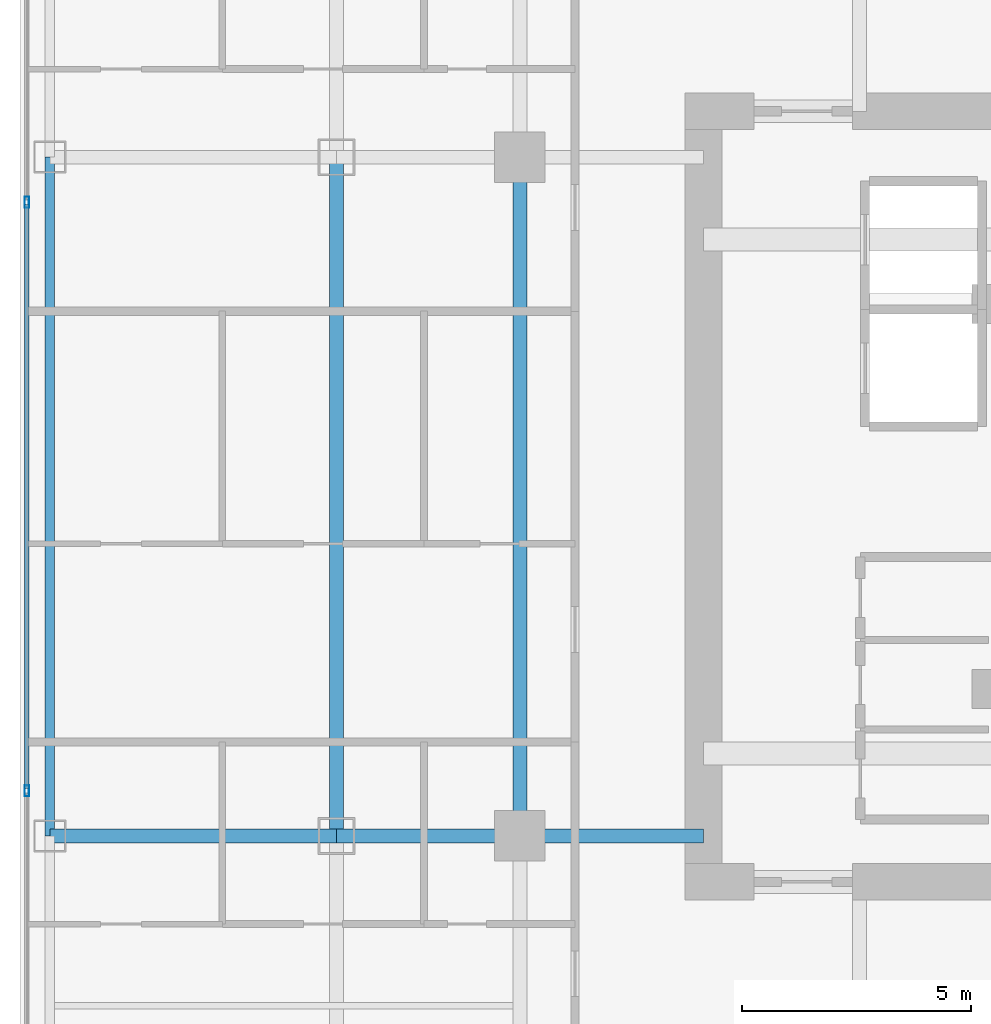
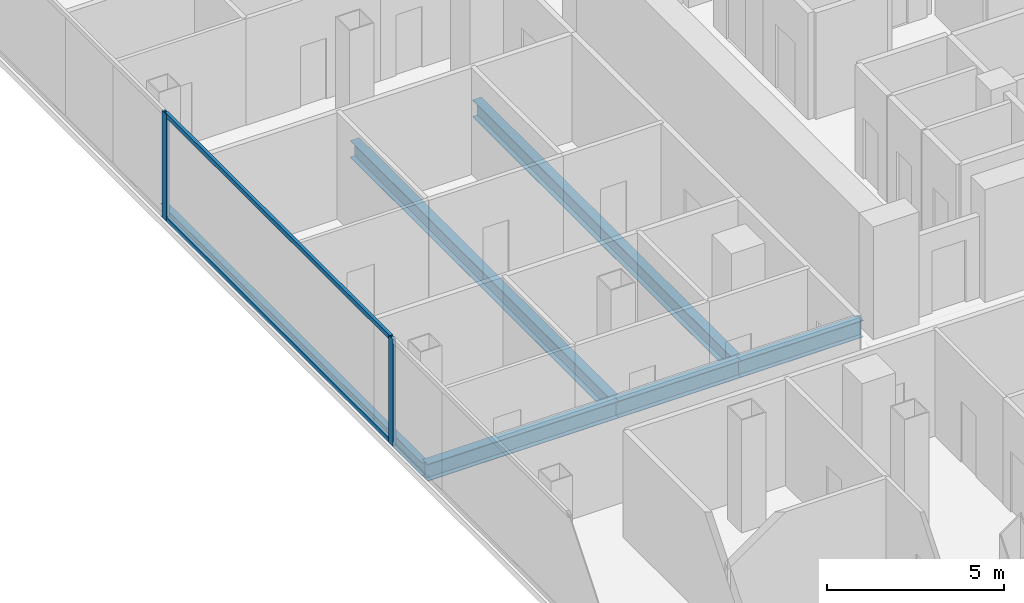
# One storey, part 5 of 27: 6 beams, 4 members, 1 element without a shape of its own.
"""IFC4 building model written with IfcOpenShell, lengths in metres."""

from ifc_helpers import new_model, si_unit, direction, frame, origin, origin_2d, place, context, subcontext, project, spatial, hollow_rectangle, i_section, extrude, material, layer, layer_set, material_profile, profile_set, type_object, element, aggregate, save


model = new_model("IFC4")

# Units and contexts
model_context = context("Model", 3, precision=1e-05, world=origin(), true_north=direction((0.0, 1.0)))
body_context = subcontext(model_context, "Body", "Model", "MODEL_VIEW")
ifc_project = project(units=[si_unit("LENGTHUNIT", "METRE"), si_unit("AREAUNIT", "SQUARE_METRE"), si_unit("VOLUMEUNIT", "CUBIC_METRE"), si_unit("PLANEANGLEUNIT", "RADIAN"), si_unit("MASSUNIT", "GRAM", prefix="KILO")], contexts=[model_context])

# Site, building, storey
site_placement = place(None, origin())
site = spatial("IfcSite", under=ifc_project, at=site_placement, CompositionType="ELEMENT")
building_placement = place(site_placement, origin())
building = spatial("IfcBuilding", under=site, at=building_placement, Name="Khorvyn Point Tower", CompositionType="ELEMENT")
storey_placement = place(building_placement, frame((0.0, 0.0, 179.699951171875)))
storey = spatial("IfcBuildingStorey", under=building, at=storey_placement, Name="L44", CompositionType="ELEMENT", Elevation=179.699951171875)

# Curtain wall, members
ifc_material_1 = material(Name="Anodised aluminium 6063-T6 and laminated Low-E glass", Category="aluminium")
ifc_layer = layer(ifc_material_1, 0.18994140625)
ifc_layer_set = layer_set([ifc_layer], Name="Stick-Built Acoustic Curtain Wall CW-SYS-03")
curtain_wall_type = type_object("IfcCurtainWallType", Name="Stick-Built Acoustic Curtain Wall CW-SYS-03", PredefinedType="NOTDEFINED", material=ifc_layer_set)
curtain_wall_placement = place(storey_placement, origin())
curtain_wall = element("IfcCurtainWall", 1, at=curtain_wall_placement, inside=storey, type_object=curtain_wall_type, Name="Curtain Wall", PredefinedType="NOTDEFINED")
ifc_material_2 = material(Name="Anodised aluminium 6063-T6", Category="aluminium")
ifc_material_profile_1 = material_profile(ifc_material_2, hollow_rectangle(XDim=0.10009765625, YDim=0.239990234375, WallThickness=0.0048828125, at=origin_2d()))
ifc_profile_set_1 = profile_set([ifc_material_profile_1], Name="Anodised aluminium 6063-T6 ALU-MUL-100x240")
member_type_1 = type_object("IfcMemberType", Name="Anodised Aluminium 6063-T6 Mullion ALU-MUL-100x240", PredefinedType="MULLION", material=ifc_profile_set_1)
member_1_placement = place(storey_placement, frame((-25.550048828125, -6.416748046875, 0.0), z_axis=(0.0, 0.0, 1.0), x_axis=(-1.0, 0.0, 0.0)))
member_1 = element("IfcMember", 2, at=member_1_placement, type_object=member_type_1, Name="Transom", PredefinedType="MULLION", context=body_context, shape_type="SweptSolid", body=[
    extrude(hollow_rectangle(XDim=0.10009765625, YDim=0.239990234375, WallThickness=0.0048828125, at=origin_2d()), origin(), (0.0, 0.0, 1.0), 3.679931640625),
])
member_2_placement = place(storey_placement, frame((-25.550048828125, 6.416748046875, 0.0), z_axis=(0.0, 0.0, 1.0), x_axis=(-1.0, 0.0, 0.0)))
member_2 = element("IfcMember", 3, at=member_2_placement, type_object=member_type_1, Name="Transom", PredefinedType="MULLION", context=body_context, shape_type="SweptSolid", body=[
    extrude(hollow_rectangle(XDim=0.10009765625, YDim=0.239990234375, WallThickness=0.0048828125, at=origin_2d()), origin(), (0.0, 0.0, 1.0), 3.679931640625),
])
ifc_material_profile_2 = material_profile(ifc_material_2, hollow_rectangle(XDim=0.10009765625, YDim=0.159912109375, WallThickness=0.00439453125, at=origin_2d()))
ifc_profile_set_2 = profile_set([ifc_material_profile_2], Name="Anodised aluminium 6063-T6 ALU-TRN-100x160")
member_type_2 = type_object("IfcMemberType", Name="Anodised Aluminium 6063-T6 Transom ALU-TRN-100x160", PredefinedType="USERDEFINED", material=ifc_profile_set_2)
member_3_placement = place(storey_placement, frame((-25.550048828125, -6.36669921875, 0.050048828125), z_axis=(0.0, 1.0, 0.0), x_axis=(-1.0, 0.0, 0.0)))
member_3 = element("IfcMember", 4, at=member_3_placement, type_object=member_type_2, Name="Transom", ObjectType="TRANSOM", PredefinedType="USERDEFINED", context=body_context, shape_type="SweptSolid", body=[
    extrude(hollow_rectangle(XDim=0.10009765625, YDim=0.159912109375, WallThickness=0.00439453125, at=origin_2d()), origin(), (0.0, 0.0, 1.0), 12.7333984375),
])
member_4_placement = place(storey_placement, frame((-25.550048828125, -6.36669921875, 3.630126953125), z_axis=(0.0, 1.0, 0.0), x_axis=(-1.0, 0.0, 0.0)))
member_4 = element("IfcMember", 5, at=member_4_placement, type_object=member_type_2, Name="Transom", ObjectType="TRANSOM", PredefinedType="USERDEFINED", context=body_context, shape_type="SweptSolid", body=[
    extrude(hollow_rectangle(XDim=0.10009765625, YDim=0.159912109375, WallThickness=0.00439453125, at=origin_2d()), origin(), (0.0, 0.0, 1.0), 12.7333984375),
])
aggregate(curtain_wall, [member_1, member_2, member_3, member_4])

# Beams
ifc_material_3 = material(Name="Steel S355", Category="steel")
ifc_material_profile_3 = material_profile(ifc_material_3, i_section(OverallWidth=0.300048828125, OverallDepth=0.587890625, WebThickness=0.011962890625, FlangeThickness=0.02001953125, at=origin_2d()))
ifc_profile_set_3 = profile_set([ifc_material_profile_3], Name="Steel S355 H588x300x12x20")
beam_type_1 = type_object("IfcBeamType", Name="Steel S355 Beam H588x300x12x20", PredefinedType="BEAM", material=ifc_profile_set_3)
beam_1_placement = place(storey_placement, frame((-25.050048828125, -7.39990234375, -0.513916015625), z_axis=(1.0, 0.0, 0.0), x_axis=(0.0, 1.0, 0.0)))
element("IfcBeam", 6, at=beam_1_placement, inside=storey, type_object=beam_type_1, Name="Beam", PredefinedType="BEAM", context=body_context, shape_type="SweptSolid", body=[
    extrude(i_section(OverallWidth=0.300048828125, OverallDepth=0.587890625, WebThickness=0.011962890625, FlangeThickness=0.02001953125, at=origin_2d()), origin(), (0.0, 0.0, 1.0), 6.25),
])
for number, where, z_axis, x_axis, name in (
    (7, (-18.800048828125, -7.39990234375, -0.513916015625), (1.0, 0.0, 0.0), (0.0, 1.0, 0.0), "Beam"),
    (8, (-14.800048828125, -7.39990234375, -0.513916015625), (1.0, 0.0, 0.0), (0.0, 1.0, 0.0), "Beam"),
):
    element("IfcBeam", number, at=place(storey_placement, frame(where, z_axis=z_axis, x_axis=x_axis)), inside=storey, type_object=beam_type_1, Name=name, PredefinedType="BEAM", context=body_context, shape_type="SweptSolid", body=[
        extrude(i_section(OverallWidth=0.300048828125, OverallDepth=0.587890625, WebThickness=0.011962890625, FlangeThickness=0.02001953125, at=origin_2d()), origin(), (0.0, 0.0, 1.0), 4.0),
    ])
for number, where, z_axis, x_axis, name in (
    (9, (-14.800048828125, -7.39990234375, -0.513916015625), (0.0, 1.0, 0.0), (-1.0, 0.0, 0.0), "Beam"),
    (10, (-18.800048828125, -7.39990234375, -0.513916015625), (0.0, 1.0, 0.0), (-1.0, 0.0, 0.0), "Beam"),
):
    element("IfcBeam", number, at=place(storey_placement, frame(where, z_axis=z_axis, x_axis=x_axis)), inside=storey, type_object=beam_type_1, Name=name, PredefinedType="BEAM", context=body_context, shape_type="SweptSolid", body=[
        extrude(i_section(OverallWidth=0.300048828125, OverallDepth=0.587890625, WebThickness=0.011962890625, FlangeThickness=0.02001953125, at=origin_2d()), origin(), (0.0, 0.0, 1.0), 14.7998046875),
    ])
ifc_material_profile_4 = material_profile(ifc_material_3, i_section(OverallWidth=0.199951171875, OverallDepth=0.449951171875, WebThickness=0.009033203125, FlangeThickness=0.013916015625, at=origin_2d()))
ifc_profile_set_4 = profile_set([ifc_material_profile_4], Name="Steel S355 H450x200x9x14")
beam_type_2 = type_object("IfcBeamType", Name="Steel S355 Spandrel H450x200x9x14", PredefinedType="SPANDREL", material=ifc_profile_set_4)
beam_2_placement = place(storey_placement, frame((-25.050048828125, -7.39990234375, -0.445068359375), z_axis=(0.0, 1.0, 0.0), x_axis=(-1.0, 0.0, 0.0)))
element("IfcBeam", 11, at=beam_2_placement, inside=storey, type_object=beam_type_2, Name="Beam", PredefinedType="SPANDREL", context=body_context, shape_type="SweptSolid", body=[
    extrude(i_section(OverallWidth=0.199951171875, OverallDepth=0.449951171875, WebThickness=0.009033203125, FlangeThickness=0.013916015625, at=origin_2d()), origin(), (0.0, 0.0, 1.0), 14.7998046875),
])

save(model, "model.ifc")
